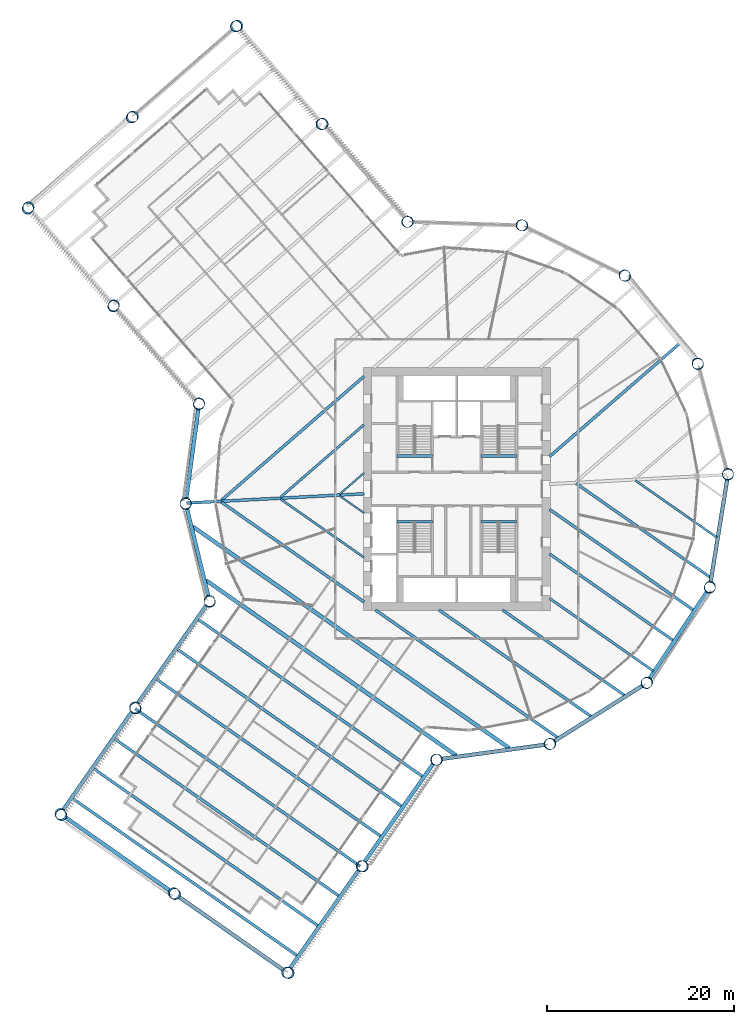
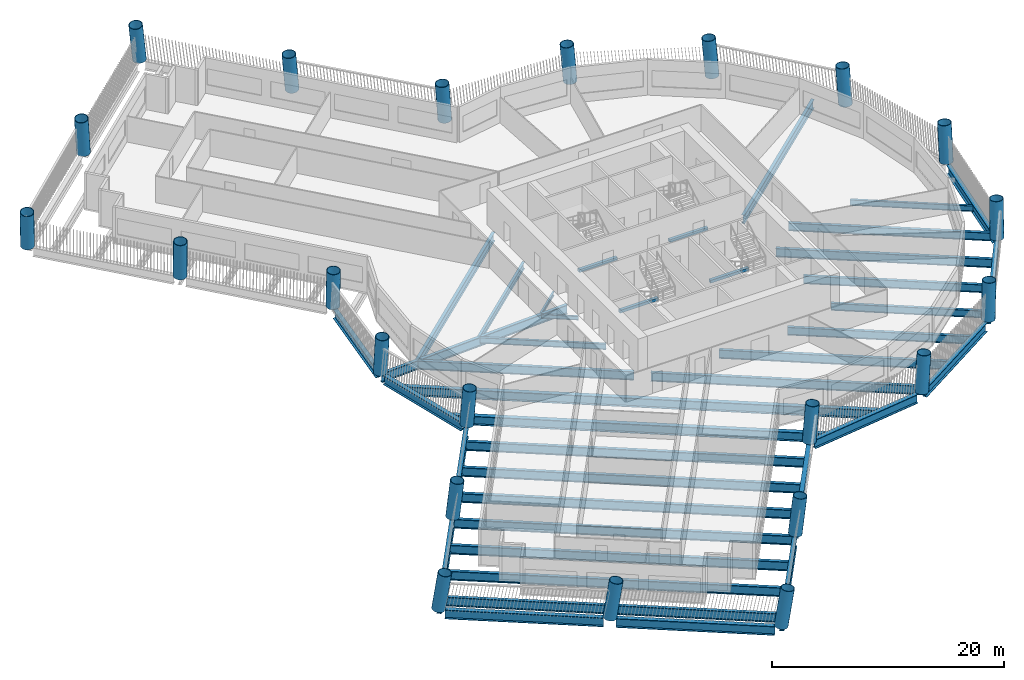
# One storey, part 1 of 15: 41 beams, 22 columns.
"""IFC4 building model written with IfcOpenShell, lengths in metres."""

from ifc_helpers import new_model, si_unit, direction, frame, origin, origin_2d, place, context, subcontext, project, spatial, rectangle, hollow_circle, i_section, extrude, material, material_profile, profile_set, type_object, element, save


model = new_model("IFC4")

# Units and contexts
model_context = context("Model", 3, precision=1e-05, world=origin(), true_north=direction((0.0, 1.0)))
body_context = subcontext(model_context, "Body", "Model", "MODEL_VIEW")
ifc_project = project(units=[si_unit("LENGTHUNIT", "METRE"), si_unit("AREAUNIT", "SQUARE_METRE"), si_unit("VOLUMEUNIT", "CUBIC_METRE"), si_unit("PLANEANGLEUNIT", "RADIAN"), si_unit("MASSUNIT", "GRAM", prefix="KILO")], contexts=[model_context])

# Site, building, storey
site_placement = place(None, origin())
site = spatial("IfcSite", under=ifc_project, at=site_placement, CompositionType="ELEMENT")
building_placement = place(site_placement, origin())
building = spatial("IfcBuilding", under=site, at=building_placement, Name="Tarsis Ring Headquarters", CompositionType="ELEMENT")
storey_placement = place(building_placement, frame((0.0, 0.0, 51.699951171875)))
storey = spatial("IfcBuildingStorey", under=building, at=storey_placement, Name="L10", CompositionType="ELEMENT", Elevation=51.699951171875)

# Columns
ifc_material_1 = material(Name="Structural steel S460", Category="steel")
ifc_material_profile_1 = material_profile(ifc_material_1, hollow_circle(Radius=0.609619140625, WallThickness=0.050048828125, at=origin_2d()), Name="CHS 1219x50")
ifc_profile_set_1 = profile_set([ifc_material_profile_1], Name="Structural steel S460")
column_type = type_object("IfcColumnType", Name="XC Exo column CHS 1219x50", PredefinedType="COLUMN", material=ifc_profile_set_1)
for number, where, z_axis, x_axis, name in (
    (1, (-29.0087890625, -1.520263671875, 0.000732421875), (0.004495071459, -0.077664845768, 0.996969390736), (0.998329275678, 0.057781115634, 0.0), "Exo column XC1 F1"),
    (2, (-26.460205078125, -11.986328125, 0.000732421875), (0.032464461672, -0.070672635794, 0.996971131617), (0.908709764422, 0.417428513692, 0.0), "Exo column XC1 AK"),
):
    element("IfcColumn", number, at=place(storey_placement, frame(where, z_axis=z_axis, x_axis=x_axis)), inside=storey, type_object=column_type, Name=name, PredefinedType="COLUMN", context=body_context, shape_type="SweptSolid", body=[
        extrude(hollow_circle(Radius=0.609619140625, WallThickness=0.050048828125, at=origin_2d()), origin(), (0.0, 0.0, 1.0), 3.91064453125),
    ])
column_1_placement = place(storey_placement, frame((-34.434326171875, -23.374267578125, 0.000732421875), z_axis=(0.062860247392, -0.091551904866, 0.993814287487), x_axis=(0.824385163205, 0.566029241901, 0.0)))
element("IfcColumn", 3, at=column_1_placement, inside=storey, type_object=column_type, Name="Exo column XC1 AI1", PredefinedType="COLUMN", context=body_context, shape_type="SweptSolid", body=[
    extrude(hollow_circle(Radius=0.609619140625, WallThickness=0.050048828125, at=origin_2d()), origin(), (0.0, 0.0, 1.0), 3.922607421875),
])
column_2_placement = place(storey_placement, frame((-42.408203125, -34.762451171875, 0.0009765625), z_axis=(0.092941871395, -0.11214985815, 0.98933524038), x_axis=(0.769961845988, 0.638089927614, 0.0)))
element("IfcColumn", 4, at=column_2_placement, inside=storey, type_object=column_type, Name="Exo column XC1 AT1", PredefinedType="COLUMN", context=body_context, shape_type="SweptSolid", body=[
    extrude(hollow_circle(Radius=0.609619140625, WallThickness=0.050048828125, at=origin_2d()), origin(), (0.0, 0.0, 1.0), 3.940185546875),
])
column_3_placement = place(storey_placement, frame((-30.28466796875, -43.251220703125, 0.0009765625), z_axis=(0.115398802437, -0.079929638013, 0.990098161479), x_axis=(0.569393725506, 0.822064952029, 0.0)))
element("IfcColumn", 5, at=column_3_placement, inside=storey, type_object=column_type, Name="Exo column XC1 AT2", PredefinedType="COLUMN", context=body_context, shape_type="SweptSolid", body=[
    extrude(hollow_circle(Radius=0.609619140625, WallThickness=0.050048828125, at=origin_2d()), origin(), (0.0, 0.0, 1.0), 3.937255859375),
])
column_4_placement = place(storey_placement, frame((-18.1611328125, -51.740234375, 0.0009765625), z_axis=(0.137678031439, -0.047524324984, 0.989336241221), x_axis=(0.326292208555, 0.945268953598, 0.0)))
element("IfcColumn", 6, at=column_4_placement, inside=storey, type_object=column_type, Name="Exo column XC1 AT3", PredefinedType="COLUMN", context=body_context, shape_type="SweptSolid", body=[
    extrude(hollow_circle(Radius=0.609619140625, WallThickness=0.050048828125, at=origin_2d()), origin(), (0.0, 0.0, 1.0), 3.940185546875),
])
column_5_placement = place(storey_placement, frame((-10.187255859375, -40.35205078125, 0.000732421875), z_axis=(0.107796183387, -0.026637855941, 0.993816083326), x_axis=(0.239897048027, 0.970798334541, 0.0)))
element("IfcColumn", 7, at=column_5_placement, inside=storey, type_object=column_type, Name="Exo column XC1 AO1", PredefinedType="COLUMN", context=body_context, shape_type="SweptSolid", body=[
    extrude(hollow_circle(Radius=0.609619140625, WallThickness=0.050048828125, at=origin_2d()), origin(), (0.0, 0.0, 1.0), 3.922607421875),
])
column_6_placement = place(storey_placement, frame((-2.21337890625, -28.964111328125, 0.000732421875), z_axis=(0.07760240318, -0.005493975446, 0.996969248901), x_axis=(0.070619703505, 0.997503312013, 0.0)))
element("IfcColumn", 8, at=column_6_placement, inside=storey, type_object=column_type, Name="Exo column XC1 AJ", PredefinedType="COLUMN", context=body_context, shape_type="SweptSolid", body=[
    extrude(hollow_circle(Radius=0.609619140625, WallThickness=0.050048828125, at=origin_2d()), origin(), (0.0, 0.0, 1.0), 3.91064453125),
])
for number, where, z_axis, x_axis, name in (
    (9, (9.922119140625, -27.301513671875, 0.000732421875), (0.072920314149, 0.026970527151, 0.996973027945), (-0.346895870255, 0.937903649209, 0.0), "Exo column XC1 R1"),
    (10, (20.29345703125, -20.784423828125, 0.000732421875), (0.05531457784, 0.054627828003, 0.996973468998), (-0.702676164983, 0.7115098082, 0.0), "Exo column XC1 R2"),
):
    element("IfcColumn", number, at=place(storey_placement, frame(where, z_axis=z_axis, x_axis=x_axis)), inside=storey, type_object=column_type, Name=name, PredefinedType="COLUMN", context=body_context, shape_type="SweptSolid", body=[
        extrude(hollow_circle(Radius=0.609619140625, WallThickness=0.050048828125, at=origin_2d()), origin(), (0.0, 0.0, 1.0), 3.910400390625),
    ])
for number, where, z_axis, x_axis, name in (
    (11, (27.056396484375, -10.572021484375, 0.000732421875), (0.027906920576, 0.07260793877, 0.996970055223), (-0.933428324079, 0.358763938833, 0.0), "Exo column XC1 R3"),
    (12, (29.0087890625, 1.520263671875, 0.000732421875), (-0.004495071459, 0.077664845768, 0.996969390736), (-0.998329275678, -0.057781115634, 0.0), "Exo column XC1 R4"),
):
    element("IfcColumn", number, at=place(storey_placement, frame(where, z_axis=z_axis, x_axis=x_axis)), inside=storey, type_object=column_type, Name=name, PredefinedType="COLUMN", context=body_context, shape_type="SweptSolid", body=[
        extrude(hollow_circle(Radius=0.609619140625, WallThickness=0.050048828125, at=origin_2d()), origin(), (0.0, 0.0, 1.0), 3.91064453125),
    ])
for number, where, z_axis, x_axis, name in (
    (13, (25.802978515625, 13.34228515625, 0.000732421875), (-0.036023226611, 0.068862424528, 0.996975573238), (-0.886082984569, -0.463526638347, 0.0), "Exo column XC1 R5"),
    (14, (18.009521484375, 22.7919921875, 0.000732421875), (-0.061245595705, 0.047885190526, 0.996973412652), (-0.615940090077, -0.787792996565, 0.0), "Exo column XC1 R6"),
    (15, (7.013916015625, 28.18896484375, 0.000732421875), (-0.075542407952, 0.018417363922, 0.996972489744), (-0.236863758996, -0.971542875881, 0.0), "Exo column XC1 R7"),
    (16, (-5.22900390625, 28.573974609375, 0.000732421875), (-0.076416459639, -0.014359302056, 0.996972584949), (0.184676356201, -0.98279939126, 0.0), "Exo column XC1 BJ"),
):
    element("IfcColumn", number, at=place(storey_placement, frame(where, z_axis=z_axis, x_axis=x_axis)), inside=storey, type_object=column_type, Name=name, PredefinedType="COLUMN", context=body_context, shape_type="SweptSolid", body=[
        extrude(hollow_circle(Radius=0.609619140625, WallThickness=0.050048828125, at=origin_2d()), origin(), (0.0, 0.0, 1.0), 3.910400390625),
    ])
column_7_placement = place(storey_placement, frame((-14.349609375, 39.066162109375, 0.000732421875), z_axis=(-0.104061511102, -0.038836353426, 0.993812326126), x_axis=(0.349649247967, -0.936880677245, 0.0)))
element("IfcColumn", 17, at=column_7_placement, inside=storey, type_object=column_type, Name="Exo column XC1 BO1", PredefinedType="COLUMN", context=body_context, shape_type="SweptSolid", body=[
    extrude(hollow_circle(Radius=0.609619140625, WallThickness=0.050048828125, at=origin_2d()), origin(), (0.0, 0.0, 1.0), 3.922607421875),
])
column_8_placement = place(storey_placement, frame((-23.470458984375, 49.558349609375, 0.0009765625), z_axis=(-0.131295786624, -0.063076503437, 0.989334509218), x_axis=(0.433035279819, -0.901376972433, 0.0)))
element("IfcColumn", 18, at=column_8_placement, inside=storey, type_object=column_type, Name="Exo column XC1 BT3", PredefinedType="COLUMN", context=body_context, shape_type="SweptSolid", body=[
    extrude(hollow_circle(Radius=0.609619140625, WallThickness=0.050048828125, at=origin_2d()), origin(), (0.0, 0.0, 1.0), 3.940185546875),
])
column_9_placement = place(storey_placement, frame((-34.64013671875, 39.8486328125, 0.0009765625), z_axis=(-0.105415917503, -0.092641988676, 0.990103502807), x_axis=(0.660129717625, -0.751151619787, 0.0)))
element("IfcColumn", 19, at=column_9_placement, inside=storey, type_object=column_type, Name="Exo column XC1 BT2", PredefinedType="COLUMN", context=body_context, shape_type="SweptSolid", body=[
    extrude(hollow_circle(Radius=0.609619140625, WallThickness=0.050048828125, at=origin_2d()), origin(), (0.0, 0.0, 1.0), 3.937255859375),
])
column_10_placement = place(storey_placement, frame((-45.809814453125, 30.138916015625, 0.0009765625), z_axis=(-0.079372403576, -0.122125688874, 0.98933580632), x_axis=(0.838472772896, -0.544943491669, 0.0)))
element("IfcColumn", 20, at=column_10_placement, inside=storey, type_object=column_type, Name="Exo column XC1 BT1", PredefinedType="COLUMN", context=body_context, shape_type="SweptSolid", body=[
    extrude(hollow_circle(Radius=0.609619140625, WallThickness=0.050048828125, at=origin_2d()), origin(), (0.0, 0.0, 1.0), 3.940185546875),
])
column_11_placement = place(storey_placement, frame((-36.68896484375, 19.646728515625, 0.000732421875), z_axis=(-0.051906528874, -0.098149395725, 0.993817090002), x_axis=(0.883992358069, -0.467501348528, 0.0)))
element("IfcColumn", 21, at=column_11_placement, inside=storey, type_object=column_type, Name="Exo column XC1 BI1", PredefinedType="COLUMN", context=body_context, shape_type="SweptSolid", body=[
    extrude(hollow_circle(Radius=0.609619140625, WallThickness=0.050048828125, at=origin_2d()), origin(), (0.0, 0.0, 1.0), 3.922607421875),
])
column_12_placement = place(storey_placement, frame((-27.568359375, 9.154541015625, 0.000732421875), z_axis=(-0.024098665276, -0.073919221985, 0.996973020173), x_axis=(0.950750418301, -0.309957484345, 0.0)))
element("IfcColumn", 22, at=column_12_placement, inside=storey, type_object=column_type, Name="Exo column XC1 BK", PredefinedType="COLUMN", context=body_context, shape_type="SweptSolid", body=[
    extrude(hollow_circle(Radius=0.609619140625, WallThickness=0.050048828125, at=origin_2d()), origin(), (0.0, 0.0, 1.0), 3.910400390625),
])

# Beams
ifc_material_2 = material(Name="Structural steel S355", Category="steel")
ifc_material_profile_2 = material_profile(ifc_material_2, i_section(OverallWidth=0.177734375, OverallDepth=0.406494140625, WebThickness=0.0078125, FlangeThickness=0.0126953125, at=origin_2d()), Name="W16x40")
ifc_profile_set_2 = profile_set([ifc_material_profile_2], Name="Structural steel S355")
beam_type_1 = type_object("IfcBeamType", Name="FB Floor beam W16x40", PredefinedType="JOIST", material=ifc_profile_set_2)
beam_1_placement = place(storey_placement, frame((-12.527587890625, -0.75, -0.363037109375), z_axis=(0.81913470259, -0.573601202067, 0.0), x_axis=(0.573601202067, 0.81913470259, 0.0)))
element("IfcBeam", 23, at=beam_1_placement, inside=storey, type_object=beam_type_1, Name="Floor beam FB1", PredefinedType="JOIST", context=body_context, shape_type="SweptSolid", body=[
    extrude(i_section(OverallWidth=0.177734375, OverallDepth=0.406494140625, WebThickness=0.0078125, FlangeThickness=0.0126953125, at=origin_2d()), origin(), (0.0, 0.0, 1.0), 3.185791015625),
])
beam_2_placement = place(storey_placement, frame((-9.924560546875, 1.707763671875, -0.363037109375), z_axis=(-0.754713304766, -0.656054744369, 0.0), x_axis=(0.656054744369, -0.754713304766, 0.0)))
element("IfcBeam", 24, at=beam_2_placement, inside=storey, type_object=beam_type_1, Name="Floor beam FB1", PredefinedType="JOIST", context=body_context, shape_type="SweptSolid", body=[
    extrude(i_section(OverallWidth=0.177734375, OverallDepth=0.406494140625, WebThickness=0.0078125, FlangeThickness=0.0126953125, at=origin_2d()), origin(), (0.0, 0.0, 1.0), 3.4619140625),
])
ifc_material_profile_3 = material_profile(ifc_material_2, i_section(OverallWidth=0.228271484375, OverallDepth=0.607177734375, WebThickness=0.01123046875, FlangeThickness=0.017333984375, at=origin_2d()), Name="W24x76")
ifc_profile_set_3 = profile_set([ifc_material_profile_3], Name="Structural steel S355")
beam_type_2 = type_object("IfcBeamType", Name="FB Floor beam W24x76", PredefinedType="JOIST", material=ifc_profile_set_3)
beam_3_placement = place(storey_placement, frame((19.10205078125, 0.907470703125, -0.463623046875), z_axis=(0.819155241478, -0.573571870264, 0.0), x_axis=(0.573571870264, 0.819155241478, 0.0)))
element("IfcBeam", 25, at=beam_3_placement, inside=storey, type_object=beam_type_2, Name="Floor beam FB4", PredefinedType="JOIST", context=body_context, shape_type="SweptSolid", body=[
    extrude(i_section(OverallWidth=0.228271484375, OverallDepth=0.607177734375, WebThickness=0.01123046875, FlangeThickness=0.017333984375, at=origin_2d()), origin(), (0.0, 0.0, 1.0), 10.621337890625),
])
beam_4_placement = place(storey_placement, frame((-18.853759765625, -1.08154296875, -0.463623046875), z_axis=(0.819155157973, -0.573571989523, 0.0), x_axis=(0.573571989523, 0.819155157973, 0.0)))
element("IfcBeam", 26, at=beam_4_placement, inside=storey, type_object=beam_type_2, Name="Floor beam FB4", PredefinedType="JOIST", context=body_context, shape_type="SweptSolid", body=[
    extrude(i_section(OverallWidth=0.228271484375, OverallDepth=0.607177734375, WebThickness=0.01123046875, FlangeThickness=0.017333984375, at=origin_2d()), origin(), (0.0, 0.0, 1.0), 10.908447265625),
])
ifc_material_profile_4 = material_profile(ifc_material_2, i_section(OverallWidth=0.2529296875, OverallDepth=0.67822265625, WebThickness=0.01171875, FlangeThickness=0.016357421875, at=origin_2d()), Name="W27x84")
ifc_profile_set_4 = profile_set([ifc_material_profile_4], Name="Structural steel S355")
beam_type_3 = type_object("IfcBeamType", Name="FB Floor beam W27x84", PredefinedType="JOIST", material=ifc_profile_set_4)
beam_5_placement = place(storey_placement, frame((-9.924560546875, 6.87548828125, -0.4990234375), z_axis=(-0.754710239718, -0.656058270327, 0.0), x_axis=(0.656058270327, -0.754710239718, 0.0)))
element("IfcBeam", 27, at=beam_5_placement, inside=storey, type_object=beam_type_3, Name="Floor beam FB5", PredefinedType="JOIST", context=body_context, shape_type="SweptSolid", body=[
    extrude(i_section(OverallWidth=0.2529296875, OverallDepth=0.67822265625, WebThickness=0.01171875, FlangeThickness=0.016357421875, at=origin_2d()), origin(), (0.0, 0.0, 1.0), 11.84423828125),
])
ifc_material_profile_5 = material_profile(ifc_material_2, i_section(OverallWidth=0.2666015625, OverallDepth=0.7568359375, WebThickness=0.013916015625, FlangeThickness=0.019287109375, at=origin_2d()), Name="W30x108")
ifc_profile_set_5 = profile_set([ifc_material_profile_5], Name="Structural steel S355")
beam_type_4 = type_object("IfcBeamType", Name="FB Floor beam W30x108", PredefinedType="JOIST", material=ifc_profile_set_5)
beam_6_placement = place(storey_placement, frame((9.91796875, -11.705810546875, -0.538330078125), z_axis=(0.819156609184, -0.573569916951, 0.0), x_axis=(0.573569916951, 0.819156609184, 0.0)))
element("IfcBeam", 28, at=beam_6_placement, inside=storey, type_object=beam_type_4, Name="Floor beam FB6", PredefinedType="JOIST", context=body_context, shape_type="SweptSolid", body=[
    extrude(i_section(OverallWidth=0.2666015625, OverallDepth=0.7568359375, WebThickness=0.013916015625, FlangeThickness=0.019287109375, at=origin_2d()), origin(), (0.0, 0.0, 1.0), 13.5556640625),
])
ifc_material_profile_6 = material_profile(ifc_material_2, i_section(OverallWidth=0.2919921875, OverallDepth=0.835693359375, WebThickness=0.013916015625, FlangeThickness=0.018798828125, at=origin_2d()), Name="W33x118")
ifc_profile_set_6 = profile_set([ifc_material_profile_6], Name="Structural steel S355")
beam_type_5 = type_object("IfcBeamType", Name="FB Floor beam W33x118", PredefinedType="JOIST", material=ifc_profile_set_6)
beam_7_placement = place(storey_placement, frame((12.776123046875, 0.576171875, -0.577880859375), z_axis=(0.81915326763, -0.573574689235, 0.0), x_axis=(0.573574689235, 0.81915326763, 0.0)))
element("IfcBeam", 29, at=beam_7_placement, inside=storey, type_object=beam_type_5, Name="Floor beam FB7", PredefinedType="JOIST", context=body_context, shape_type="SweptSolid", body=[
    extrude(i_section(OverallWidth=0.2919921875, OverallDepth=0.835693359375, WebThickness=0.013916015625, FlangeThickness=0.018798828125, at=origin_2d()), origin(), (0.0, 0.0, 1.0), 17.5009765625),
])
beam_8_placement = place(storey_placement, frame((9.91796875, -6.94482421875, -0.577880859375), z_axis=(0.819155379296, -0.573571673438, 0.0), x_axis=(0.573571673438, 0.819155379296, 0.0)))
element("IfcBeam", 30, at=beam_8_placement, inside=storey, type_object=beam_type_5, Name="Floor beam FB7", PredefinedType="JOIST", context=body_context, shape_type="SweptSolid", body=[
    extrude(i_section(OverallWidth=0.2919921875, OverallDepth=0.835693359375, WebThickness=0.013916015625, FlangeThickness=0.018798828125, at=origin_2d()), origin(), (0.0, 0.0, 1.0), 16.185302734375),
])
beam_9_placement = place(storey_placement, frame((4.885009765625, -12.942626953125, -0.577880859375), z_axis=(0.819152920279, -0.573575185306, 0.0), x_axis=(0.573575185306, 0.819152920279, 0.0)))
element("IfcBeam", 31, at=beam_9_placement, inside=storey, type_object=beam_type_5, Name="Floor beam FB7", PredefinedType="JOIST", context=body_context, shape_type="SweptSolid", body=[
    extrude(i_section(OverallWidth=0.2919921875, OverallDepth=0.835693359375, WebThickness=0.013916015625, FlangeThickness=0.018798828125, at=origin_2d()), origin(), (0.0, 0.0, 1.0), 15.971923828125),
])
ifc_material_profile_7 = material_profile(ifc_material_2, i_section(OverallWidth=0.3046875, OverallDepth=0.904296875, WebThickness=0.01513671875, FlangeThickness=0.02001953125, at=origin_2d()), Name="W36x135")
ifc_profile_set_7 = profile_set([ifc_material_profile_7], Name="Structural steel S355")
beam_type_6 = type_object("IfcBeamType", Name="FB Floor beam W36x135", PredefinedType="JOIST", material=ifc_profile_set_7)
beam_10_placement = place(storey_placement, frame((9.91796875, -2.18359375, -0.612060546875), z_axis=(0.81915449319, -0.573572938942, 0.0), x_axis=(0.573572938942, 0.81915449319, 0.0)))
element("IfcBeam", 32, at=beam_10_placement, inside=storey, type_object=beam_type_6, Name="Floor beam FB8", PredefinedType="JOIST", context=body_context, shape_type="SweptSolid", body=[
    extrude(i_section(OverallWidth=0.3046875, OverallDepth=0.904296875, WebThickness=0.01513671875, FlangeThickness=0.02001953125, at=origin_2d()), origin(), (0.0, 0.0, 1.0), 18.81494140625),
])
beam_11_placement = place(storey_placement, frame((-1.914306640625, -12.942626953125, -0.612060546875), z_axis=(0.819153518175, -0.573574331418, 0.0), x_axis=(0.573574331418, 0.819153518175, 0.0)))
element("IfcBeam", 33, at=beam_11_placement, inside=storey, type_object=beam_type_6, Name="Floor beam FB8", PredefinedType="JOIST", context=body_context, shape_type="SweptSolid", body=[
    extrude(i_section(OverallWidth=0.3046875, OverallDepth=0.904296875, WebThickness=0.01513671875, FlangeThickness=0.02001953125, at=origin_2d()), origin(), (0.0, 0.0, 1.0), 19.897705078125),
])
beam_12_placement = place(storey_placement, frame((-25.1796875, -1.4130859375, -0.612060546875), z_axis=(0.819154344655, -0.573573151073, 0.0), x_axis=(0.573573151073, 0.819154344655, 0.0)))
element("IfcBeam", 34, at=beam_12_placement, inside=storey, type_object=beam_type_6, Name="Floor beam FB8", PredefinedType="JOIST", context=body_context, shape_type="SweptSolid", body=[
    extrude(i_section(OverallWidth=0.3046875, OverallDepth=0.904296875, WebThickness=0.01513671875, FlangeThickness=0.02001953125, at=origin_2d()), origin(), (0.0, 0.0, 1.0), 18.631103515625),
])
beam_13_placement = place(storey_placement, frame((23.835205078125, 15.552001953125, -0.612060546875), z_axis=(-0.754711021406, -0.656057371095, 0.0), x_axis=(0.656057371095, -0.754711021406, 0.0)))
element("IfcBeam", 35, at=beam_13_placement, inside=storey, type_object=beam_type_6, Name="Floor beam FB8", PredefinedType="JOIST", context=body_context, shape_type="SweptSolid", body=[
    extrude(i_section(OverallWidth=0.3046875, OverallDepth=0.904296875, WebThickness=0.01513671875, FlangeThickness=0.02001953125, at=origin_2d()), origin(), (0.0, 0.0, 1.0), 18.431640625),
])
beam_14_placement = place(storey_placement, frame((-9.924560546875, 12.04296875, -0.612060546875), z_axis=(-0.754710496317, -0.656057975143, 0.0), x_axis=(0.656057975143, -0.754710496317, 0.0)))
element("IfcBeam", 36, at=beam_14_placement, inside=storey, type_object=beam_type_6, Name="Floor beam FB8", PredefinedType="JOIST", context=body_context, shape_type="SweptSolid", body=[
    extrude(i_section(OverallWidth=0.3046875, OverallDepth=0.904296875, WebThickness=0.01513671875, FlangeThickness=0.02001953125, at=origin_2d()), origin(), (0.0, 0.0, 1.0), 20.22607421875),
])
ifc_material_profile_8 = material_profile(ifc_material_2, i_section(OverallWidth=0.3046875, OverallDepth=0.91943359375, WebThickness=0.017333984375, FlangeThickness=0.02783203125, at=origin_2d()), Name="W36x170")
ifc_profile_set_8 = profile_set([ifc_material_profile_8], Name="Structural steel S355")
beam_type_7 = type_object("IfcBeamType", Name="FB Floor beam W36x170", PredefinedType="JOIST", material=ifc_profile_set_8)
beam_15_placement = place(storey_placement, frame((-8.7138671875, -12.942626953125, -0.61962890625), z_axis=(0.819153919021, -0.573573758946, 0.0), x_axis=(0.573573758946, 0.819153919021, 0.0)))
element("IfcBeam", 37, at=beam_15_placement, inside=storey, type_object=beam_type_7, Name="Floor beam FB9", PredefinedType="JOIST", context=body_context, shape_type="SweptSolid", body=[
    extrude(i_section(OverallWidth=0.3046875, OverallDepth=0.91943359375, WebThickness=0.017333984375, FlangeThickness=0.02783203125, at=origin_2d()), origin(), (0.0, 0.0, 1.0), 23.823486328125),
])
ifc_material_profile_9 = material_profile(ifc_material_2, i_section(OverallWidth=0.309814453125, OverallDepth=0.949951171875, WebThickness=0.0244140625, FlangeThickness=0.0439453125, at=origin_2d()), Name="W36x256")
ifc_profile_set_9 = profile_set([ifc_material_profile_9], Name="Structural steel S355")
beam_type_8 = type_object("IfcBeamType", Name="FB Floor beam W36x256", PredefinedType="JOIST", material=ifc_profile_set_9)
for number, where, z_axis, x_axis, name in (
    (38, (-27.690185546875, -13.938232421875, -0.635009765625), (0.819150308921, -0.573578914706, 0.0), (0.573578914706, 0.819150308921, 0.0), "Floor beam FB11"),
    (39, (-29.92724609375, -17.1328125, -0.635009765625), (0.819150308921, -0.573578914706, 0.0), (0.573578914706, 0.819150308921, 0.0), "Floor beam FB11"),
    (40, (-32.1640625, -20.32763671875, -0.635009765625), (0.819154213789, -0.573573337971, 0.0), (0.573573337971, 0.819154213789, 0.0), "Floor beam FB11"),
    (41, (-34.401123046875, -23.522216796875, -0.635009765625), (0.819150308921, -0.573578914706, 0.0), (0.573578914706, 0.819150308921, 0.0), "Floor beam FB11"),
    (42, (-36.637939453125, -26.717041015625, -0.635009765625), (0.819154213789, -0.573573337971, 0.0), (0.573573337971, 0.819154213789, 0.0), "Floor beam FB11"),
    (43, (-38.875, -29.91162109375, -0.635009765625), (0.819150308921, -0.573578914706, 0.0), (0.573578914706, 0.819150308921, 0.0), "Floor beam FB11"),
):
    element("IfcBeam", number, at=place(storey_placement, frame(where, z_axis=z_axis, x_axis=x_axis)), inside=storey, type_object=beam_type_8, Name=name, PredefinedType="JOIST", context=body_context, shape_type="SweptSolid", body=[
        extrude(i_section(OverallWidth=0.309814453125, OverallDepth=0.949951171875, WebThickness=0.0244140625, FlangeThickness=0.0439453125, at=origin_2d()), origin(), (0.0, 0.0, 1.0), 29.375732421875),
    ])
beam_16_placement = place(storey_placement, frame((-41.112060546875, -33.1064453125, -0.635009765625), z_axis=(0.819156947957, -0.573569433123, 0.0), x_axis=(0.573569433123, 0.819156947957, 0.0)))
element("IfcBeam", 44, at=beam_16_placement, inside=storey, type_object=beam_type_8, Name="Floor beam FB11", PredefinedType="JOIST", context=body_context, shape_type="SweptSolid", body=[
    extrude(i_section(OverallWidth=0.309814453125, OverallDepth=0.949951171875, WebThickness=0.0244140625, FlangeThickness=0.0439453125, at=origin_2d()), origin(), (0.0, 0.0, 1.0), 29.3759765625),
])
beam_type_9 = type_object("IfcBeamType", Name="FB Floor beam W36x256 spine", PredefinedType="BEAM", material=ifc_profile_set_9)
beam_17_placement = place(storey_placement, frame((-9.900146484375, -0.518798828125, -0.635009765625), z_axis=(-0.998629577148, -0.052335147324, 0.0), x_axis=(0.052335147324, -0.998629577148, 0.0)))
element("IfcBeam", 45, at=beam_17_placement, inside=storey, type_object=beam_type_9, Name="Floor beam SB11", PredefinedType="BEAM", context=body_context, shape_type="SweptSolid", body=[
    extrude(i_section(OverallWidth=0.309814453125, OverallDepth=0.949951171875, WebThickness=0.0244140625, FlangeThickness=0.0439453125, at=origin_2d()), origin(), (0.0, 0.0, 1.0), 19.01904296875),
])
ifc_material_profile_10 = material_profile(ifc_material_2, i_section(OverallWidth=0.42431640625, OverallDepth=0.947509765625, WebThickness=0.02392578125, FlangeThickness=0.042724609375, at=origin_2d()), Name="W36x302")
ifc_profile_set_10 = profile_set([ifc_material_profile_10], Name="Structural steel S355")
beam_type_10 = type_object("IfcBeamType", Name="FB Floor beam W36x302", PredefinedType="JOIST", material=ifc_profile_set_10)
beam_18_placement = place(storey_placement, frame((-28.248291015625, -4.025390625, -0.633544921875), z_axis=(0.819149535906, -0.573580018677, 0.0), x_axis=(0.573580018677, 0.819149535906, 0.0)))
element("IfcBeam", 46, at=beam_18_placement, inside=storey, type_object=beam_type_10, Name="Floor beam FB12", PredefinedType="JOIST", context=body_context, shape_type="SweptSolid", body=[
    extrude(i_section(OverallWidth=0.42431640625, OverallDepth=0.947509765625, WebThickness=0.02392578125, FlangeThickness=0.042724609375, at=origin_2d()), origin(), (0.0, 0.0, 1.0), 41.35302734375),
])
beam_19_placement = place(storey_placement, frame((-26.850830078125, -9.764892578125, -0.633544921875), z_axis=(0.819149145702, -0.573580575941, 0.0), x_axis=(0.573580575941, 0.819149145702, 0.0)))
element("IfcBeam", 47, at=beam_19_placement, inside=storey, type_object=beam_type_10, Name="Floor beam FB12", PredefinedType="JOIST", context=body_context, shape_type="SweptSolid", body=[
    extrude(i_section(OverallWidth=0.42431640625, OverallDepth=0.947509765625, WebThickness=0.02392578125, FlangeThickness=0.042724609375, at=origin_2d()), origin(), (0.0, 0.0, 1.0), 32.704833984375),
])
ifc_material_3 = material(Name="Concrete C40/50", Category="concrete")
ifc_material_profile_11 = material_profile(ifc_material_3, rectangle(XDim=0.300048828125, YDim=0.300048828125, at=origin_2d()), Name="Stair head beam 300x300 C40/50")
ifc_profile_set_11 = profile_set([ifc_material_profile_11], Name="Concrete C40/50")
beam_type_11 = type_object("IfcBeamType", Name="Stair head beam 300x300 C40/50", PredefinedType="BEAM", material=ifc_profile_set_11)
for number, where, z_axis, x_axis, name in (
    (48, (-6.39990234375, 3.510009765625, -0.31005859375), (1.0, 0.0, 0.0), (0.0, 1.0, 0.0), "Stair head beam L10 Firefighting stair"),
    (49, (2.60009765625, 3.510009765625, -0.31005859375), (1.0, 0.0, 0.0), (0.0, 1.0, 0.0), "Stair head beam L10 Exit stair B"),
    (50, (-6.39990234375, -3.510009765625, -0.31005859375), (1.0, 0.0, 0.0), (0.0, 1.0, 0.0), "Stair head beam L10 Exit stair C"),
    (51, (2.60009765625, -3.510009765625, -0.31005859375), (1.0, 0.0, 0.0), (0.0, 1.0, 0.0), "Stair head beam L10 Exit stair D"),
):
    element("IfcBeam", number, at=place(storey_placement, frame(where, z_axis=z_axis, x_axis=x_axis)), inside=storey, type_object=beam_type_11, Name=name, PredefinedType="BEAM", context=body_context, shape_type="SweptSolid", body=[
        extrude(rectangle(XDim=0.300048828125, YDim=0.300048828125, at=origin_2d()), origin(), (0.0, 0.0, 1.0), 3.7998046875),
    ])
beam_type_12 = type_object("IfcBeamType", Name="XG Ring girder W36x302", PredefinedType="BEAM", material=ifc_profile_set_10)
beam_20_placement = place(storey_placement, frame((-28.87890625, -2.053466796875, -0.4736328125), z_axis=(0.23658725879, -0.971610245406, 0.0), x_axis=(0.971610245406, 0.23658725879, 0.0)))
element("IfcBeam", 52, at=beam_20_placement, inside=storey, type_object=beam_type_12, Name="Ring girder XG1", PredefinedType="BEAM", context=body_context, shape_type="SweptSolid", body=[
    extrude(i_section(OverallWidth=0.42431640625, OverallDepth=0.947509765625, WebThickness=0.02392578125, FlangeThickness=0.042724609375, at=origin_2d()), origin(), (0.0, 0.0, 1.0), 9.67431640625),
])
beam_21_placement = place(storey_placement, frame((-26.77490234375, -12.435546875, -0.4736328125), z_axis=(-0.573580061091, -0.819149506207, 0.0), x_axis=(0.819149506207, -0.573580061091, 0.0)))
element("IfcBeam", 53, at=beam_21_placement, inside=storey, type_object=beam_type_12, Name="Ring girder XG1", PredefinedType="BEAM", context=body_context, shape_type="SweptSolid", body=[
    extrude(i_section(OverallWidth=0.42431640625, OverallDepth=0.947509765625, WebThickness=0.02392578125, FlangeThickness=0.042724609375, at=origin_2d()), origin(), (0.0, 0.0, 1.0), 12.80517578125),
])
beam_22_placement = place(storey_placement, frame((-34.7490234375, -23.82373046875, -0.4736328125), z_axis=(-0.573567267516, -0.8191584643, 0.0), x_axis=(0.8191584643, -0.573567267516, 0.0)))
element("IfcBeam", 54, at=beam_22_placement, inside=storey, type_object=beam_type_12, Name="Ring girder XG1", PredefinedType="BEAM", context=body_context, shape_type="SweptSolid", body=[
    extrude(i_section(OverallWidth=0.42431640625, OverallDepth=0.947509765625, WebThickness=0.02392578125, FlangeThickness=0.042724609375, at=origin_2d()), origin(), (0.0, 0.0, 1.0), 12.804931640625),
])
for number, where, z_axis, x_axis, name in (
    (55, (-41.958984375, -35.076904296875, -0.4736328125), (0.819149882643, -0.573579523489, 0.0), (0.573579523489, 0.819149882643, 0.0), "Ring girder XG1"),
    (56, (-29.83544921875, -43.56591796875, -0.4736328125), (0.819149882643, -0.573579523489, 0.0), (0.573579523489, 0.819149882643, 0.0), "Ring girder XG1"),
):
    element("IfcBeam", number, at=place(storey_placement, frame(where, z_axis=z_axis, x_axis=x_axis)), inside=storey, type_object=beam_type_12, Name=name, PredefinedType="BEAM", context=body_context, shape_type="SweptSolid", body=[
        extrude(i_section(OverallWidth=0.42431640625, OverallDepth=0.947509765625, WebThickness=0.02392578125, FlangeThickness=0.042724609375, at=origin_2d()), origin(), (0.0, 0.0, 1.0), 13.70263671875),
    ])
for number, where, z_axis, x_axis, name in (
    (57, (-17.8466796875, -51.290771484375, -0.4736328125), (0.573567267516, 0.8191584643, 0.0), (-0.8191584643, 0.573567267516, 0.0), "Ring girder XG1"),
    (58, (-9.872802734375, -39.902587890625, -0.4736328125), (0.573589019292, 0.819143233475, 0.0), (-0.819143233475, 0.573589019292, 0.0), "Ring girder XG1"),
):
    element("IfcBeam", number, at=place(storey_placement, frame(where, z_axis=z_axis, x_axis=x_axis)), inside=storey, type_object=beam_type_12, Name=name, PredefinedType="BEAM", context=body_context, shape_type="SweptSolid", body=[
        extrude(i_section(OverallWidth=0.42431640625, OverallDepth=0.947509765625, WebThickness=0.02392578125, FlangeThickness=0.042724609375, at=origin_2d()), origin(), (0.0, 0.0, 1.0), 12.804931640625),
    ])
for number, where, z_axis, x_axis, name in (
    (59, (-1.669921875, -28.8896484375, -0.4736328125), (0.990744975711, 0.135736484055, 0.0), (-0.135736484055, 0.990744975711, 0.0), "Ring girder XG1"),
    (60, (10.38671875, -27.009521484375, -0.4736328125), (0.846715452405, 0.532045996751, 0.0), (-0.532045996751, 0.846715452405, 0.0), "Ring girder XG1"),
):
    element("IfcBeam", number, at=place(storey_placement, frame(where, z_axis=z_axis, x_axis=x_axis)), inside=storey, type_object=beam_type_12, Name=name, PredefinedType="BEAM", context=body_context, shape_type="SweptSolid", body=[
        extrude(i_section(OverallWidth=0.42431640625, OverallDepth=0.947509765625, WebThickness=0.02392578125, FlangeThickness=0.042724609375, at=origin_2d()), origin(), (0.0, 0.0, 1.0), 11.151611328125),
    ])
beam_23_placement = place(storey_placement, frame((20.59619140625, -20.3271484375, -0.4736328125), z_axis=(0.552131072472, 0.833757326091, 0.0), x_axis=(-0.833757326091, 0.552131072472, 0.0)))
element("IfcBeam", 61, at=beam_23_placement, inside=storey, type_object=beam_type_12, Name="Ring girder XG1", PredefinedType="BEAM", context=body_context, shape_type="SweptSolid", body=[
    extrude(i_section(OverallWidth=0.42431640625, OverallDepth=0.947509765625, WebThickness=0.02392578125, FlangeThickness=0.042724609375, at=origin_2d()), origin(), (0.0, 0.0, 1.0), 11.15185546875),
])
beam_24_placement = place(storey_placement, frame((27.143798828125, -10.0302734375, -0.4736328125), z_axis=(0.159380425151, 0.98721724057, 0.0), x_axis=(-0.98721724057, 0.159380425151, 0.0)))
element("IfcBeam", 62, at=beam_24_placement, inside=storey, type_object=beam_type_12, Name="Ring girder XG1", PredefinedType="BEAM", context=body_context, shape_type="SweptSolid", body=[
    extrude(i_section(OverallWidth=0.42431640625, OverallDepth=0.947509765625, WebThickness=0.02392578125, FlangeThickness=0.042724609375, at=origin_2d()), origin(), (0.0, 0.0, 1.0), 11.151611328125),
])
beam_25_placement = place(storey_placement, frame((-27.6416015625, 8.611083984375, -0.4736328125), z_axis=(-0.133722310101, -0.991018841285, 0.0), x_axis=(0.991018841285, -0.133722310101, 0.0)))
element("IfcBeam", 63, at=beam_25_placement, inside=storey, type_object=beam_type_12, Name="Ring girder XG1", PredefinedType="BEAM", context=body_context, shape_type="SweptSolid", body=[
    extrude(i_section(OverallWidth=0.42431640625, OverallDepth=0.947509765625, WebThickness=0.02392578125, FlangeThickness=0.042724609375, at=origin_2d()), origin(), (0.0, 0.0, 1.0), 9.674560546875),
])

save(model, "model.ifc")
